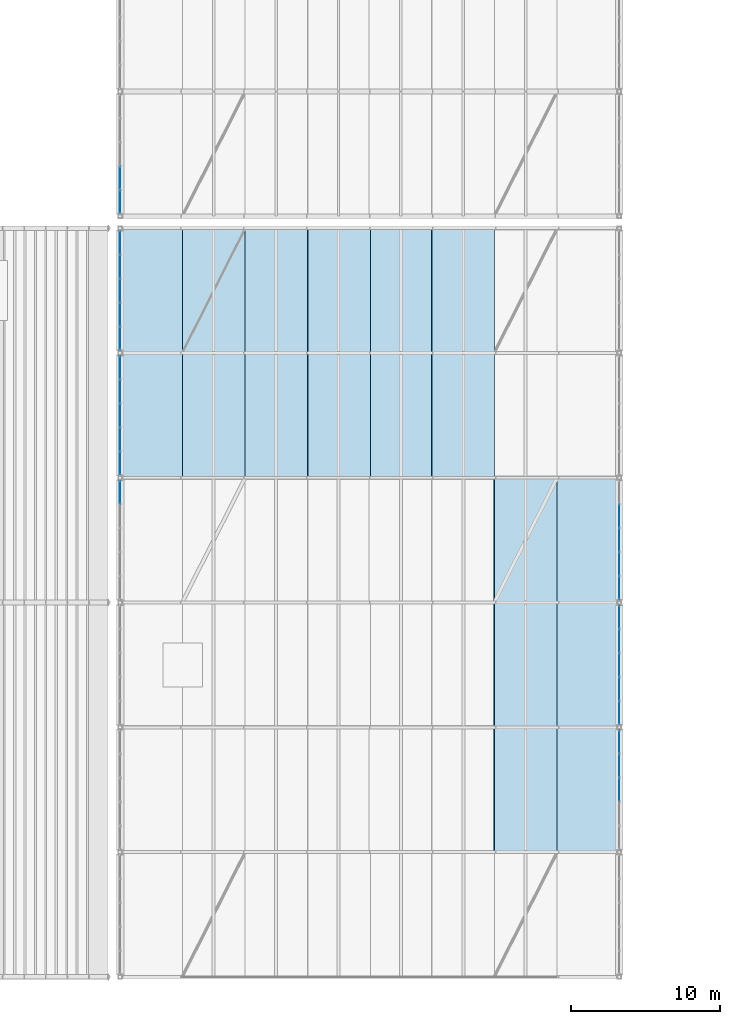
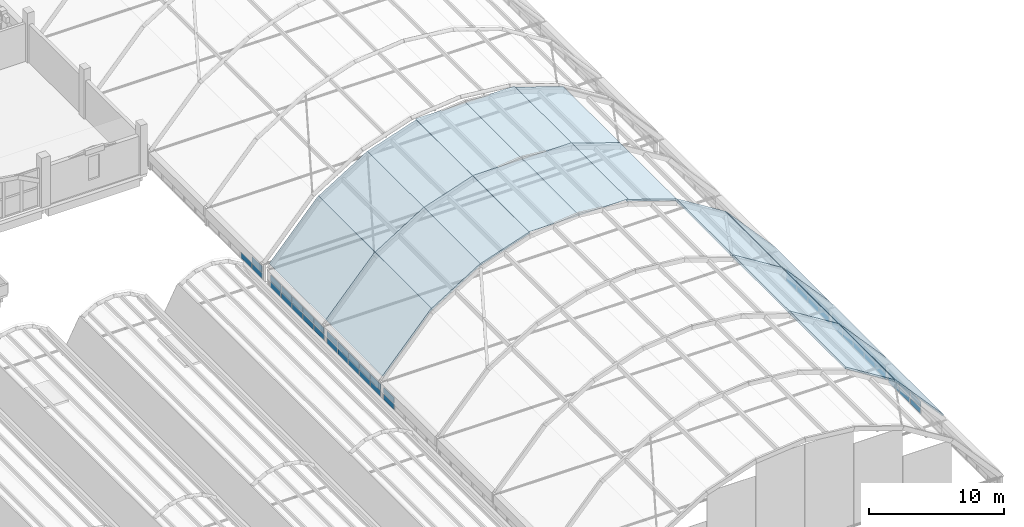
# One storey, part 89 of 114: 53 plates, 14 slabs, 7 elements without a shape of their own.
"""IFC4 building model written with IfcOpenShell, lengths in metres."""

import ifcopenshell
import ifcopenshell.guid

model = None  # the IFC model being written
_history = None  # IfcOwnerHistory: only IFC2X3 demands one
_inside = {}  # id of a spatial element -> (the spatial element, [elements in it])
_under = {}  # id of a project, library or spatial element -> (it, [spatial elements below it])
_declared = {}  # id of a project -> (the project, [libraries it declares])
_typed = {}  # id of a type object -> (the type object, [elements of that type])
_made_of = {}  # id of a material, layer set ... -> (it, [elements and type objects made of it])


def new_model(schema):
    """Start an empty IFC model of exactly this schema.

    Asked for "IFC4X3", IfcOpenShell would pick the latest addendum, in which some entities
    have other attributes; the version numbers below select the first issue.
    IFC2X3 requires an IfcOwnerHistory on every rooted entity: one is made here for all.
    """
    global model, _history
    if schema == "IFC4X3":
        model = ifcopenshell.file(schema_version=(4, 3, 0, 0))
    else:
        model = ifcopenshell.file(schema=schema)
    _inside.clear()
    _under.clear()
    _declared.clear()
    _typed.clear()
    _made_of.clear()
    _history = None
    if model.schema == "IFC2X3":
        org = make("IfcOrganization", Name="unknown")
        user = make(
            "IfcPersonAndOrganization",
            ThePerson=make("IfcPerson", FamilyName="unknown"),
            TheOrganization=org,
        )
        app = make(
            "IfcApplication",
            ApplicationDeveloper=org,
            Version="unknown",
            ApplicationFullName="unknown",
            ApplicationIdentifier="unknown",
        )
        _history = make(
            "IfcOwnerHistory",
            OwningUser=user,
            OwningApplication=app,
            ChangeAction="ADDED",
            CreationDate=0,
        )
    return model


def make(cls, **values):
    """One entity of the class cls with the attributes given. An attribute that is None is left unset."""
    return model.create_entity(
        cls, **{name: value for name, value in values.items() if value is not None}
    )


def rooted(cls, **values):
    """An entity with a GlobalId (a new one), such as an element, a storey or a relation."""
    return make(cls, GlobalId=ifcopenshell.guid.new(), OwnerHistory=_history, **values)


def si_unit(unit_type, name, prefix=None):
    """IfcSIUnit, for example si_unit("LENGTHUNIT", "METRE", prefix="MILLI")."""
    return make("IfcSIUnit", UnitType=unit_type, Prefix=prefix, Name=name)


def assignment(units):
    """IfcUnitAssignment: the units of a project."""
    return None if units is None else make("IfcUnitAssignment", Units=units)


def point(xyz):
    """IfcCartesianPoint."""
    return None if xyz is None else make("IfcCartesianPoint", Coordinates=xyz)


def direction(xyz):
    """IfcDirection."""
    return None if xyz is None else make("IfcDirection", DirectionRatios=xyz)


def frame(location, z_axis=None, x_axis=None):
    """IfcAxis2Placement3D, a coordinate frame: its origin and axes. An axis left out is left unset."""
    return make(
        "IfcAxis2Placement3D",
        Location=point(location),
        Axis=direction(z_axis),
        RefDirection=direction(x_axis),
    )


def frame_2d(location, x_axis=None):
    """IfcAxis2Placement2D, a coordinate frame in the plane: its origin and x axis."""
    return make(
        "IfcAxis2Placement2D", Location=point(location), RefDirection=direction(x_axis)
    )


def origin():
    """The frame at (0, 0, 0) with its axes left unset."""
    return frame((0.0, 0.0, 0.0))


def origin_2d():
    """The frame at (0, 0) in the plane with its x axis left unset."""
    return frame_2d((0.0, 0.0))


def place(relative_to, where):
    """IfcLocalPlacement: puts the frame where relative to a parent placement (None: the world)."""
    return make(
        "IfcLocalPlacement", PlacementRelTo=relative_to, RelativePlacement=where
    )


def context(
    kind, dimensions, precision=None, world=None, true_north=None, identifier=None
):
    """IfcGeometricRepresentationContext, for example the 3D "Model" context."""
    return make(
        "IfcGeometricRepresentationContext",
        ContextIdentifier=identifier,
        ContextType=kind,
        CoordinateSpaceDimension=dimensions,
        Precision=precision,
        WorldCoordinateSystem=world,
        TrueNorth=true_north,
    )


def subcontext(parent, identifier, kind, view, scale=None):
    """IfcGeometricRepresentationSubContext, for example "Body" below "Model"."""
    return make(
        "IfcGeometricRepresentationSubContext",
        ContextIdentifier=identifier,
        ContextType=kind,
        ParentContext=parent,
        TargetScale=scale,
        TargetView=view,
    )


def project(units=None, contexts=None):
    """IfcProject with its units and contexts."""
    return rooted(
        "IfcProject",
        Name="project",
        RepresentationContexts=contexts,
        UnitsInContext=assignment(units),
    )


def spatial(cls, under=None, at=None, **own):
    """A site, building, storey or space (cls), placed at a placement, below another one or the project."""
    s = rooted(cls, ObjectPlacement=at, **own)
    if under is not None:
        _under.setdefault(under.id(), (under, []))[1].append(s)
    return s


def polyline(points):
    """IfcPolyline through the points."""
    return make("IfcPolyline", Points=[point(p) for p in points])


def profile(cls, at=None, kind="AREA", **sizes):
    """A parametric profile (cls). Its sizes go by their IFC names, for example OverallWidth=200.0."""
    return make(cls, ProfileType=kind, Position=at, **sizes)


def rectangle(**sizes):
    """IfcRectangleProfileDef."""
    return profile("IfcRectangleProfileDef", **sizes)


def outline(outer, holes=None, kind="AREA"):
    """IfcArbitraryClosedProfileDef: a profile drawn as a closed curve; with holes, ...WithVoids."""
    if holes is None:
        return make("IfcArbitraryClosedProfileDef", ProfileType=kind, OuterCurve=outer)
    return make(
        "IfcArbitraryProfileDefWithVoids",
        ProfileType=kind,
        OuterCurve=outer,
        InnerCurves=holes,
    )


def extrude(swept, where, along, depth):
    """IfcExtrudedAreaSolid: the profile swept, set in the frame where, extruded along a direction by depth."""
    return make(
        "IfcExtrudedAreaSolid",
        SweptArea=swept,
        Position=where,
        ExtrudedDirection=direction(along),
        Depth=depth,
    )


def shape(context_of_items, identifier, shape_type, items):
    """IfcShapeRepresentation: the items that make up one representation, for example the "Body"."""
    return make(
        "IfcShapeRepresentation",
        ContextOfItems=context_of_items,
        RepresentationIdentifier=identifier,
        RepresentationType=shape_type,
        Items=items,
    )


def material(Name=None, Category=None):
    """IfcMaterial."""
    return make("IfcMaterial", Name=Name, Category=Category)


def layer(
    of_material, thickness, ventilated=None, Name=None, Category=None, Priority=None
):
    """IfcMaterialLayer: one layer of a wall or slab, of a material (None: an air gap)."""
    return make(
        "IfcMaterialLayer",
        Material=of_material,
        LayerThickness=thickness,
        IsVentilated=ventilated,
        Name=Name,
        Category=Category,
        Priority=Priority,
    )


def layer_set(layers, Name=None):
    """IfcMaterialLayerSet."""
    return make("IfcMaterialLayerSet", MaterialLayers=layers, LayerSetName=Name)


def made_of(thing, what):
    """Note that an element or type object is made of a material, layer set ...; save() writes the relation."""
    if what is not None:
        _made_of.setdefault(what.id(), (what, []))[1].append(thing)
    return thing


def type_object(cls, material=None, **own):
    """A type object (cls), such as IfcWallType, which elements share."""
    return made_of(rooted(cls, **own), material)


def element(
    cls,
    number,
    at=None,
    inside=None,
    cuts=None,
    type_object=None,
    material=None,
    context=None,
    identifier="Body",
    shape_type=None,
    held_by="IfcProductDefinitionShape",
    body=None,
    shapes=None,
    **own,
):
    """One element of the class cls, such as IfcWall. Its Tag is "e" and its number.

    at: its placement. inside: the storey or other place that contains it. cuts: it is an
    opening in that element (IfcRelVoidsElement). A single representation is given by context,
    identifier, shape_type and body (its items); several are given by shapes. held_by: the class
    of the entity that holds the representations. save() writes the other relations.
    """
    e = rooted(cls, Tag="e%d" % number, ObjectPlacement=at, **own)
    if body is not None:
        shapes = [shape(context, identifier, shape_type, body)]
    if shapes is not None:
        e.Representation = make(held_by, Representations=shapes)
    if inside is not None:
        _inside.setdefault(inside.id(), (inside, []))[1].append(e)
    if cuts is not None:
        rooted(
            "IfcRelVoidsElement", RelatingBuildingElement=cuts, RelatedOpeningElement=e
        )
    if type_object is not None:
        _typed.setdefault(type_object.id(), (type_object, []))[1].append(e)
    return made_of(e, material)


def aggregate(whole, parts):
    """IfcRelAggregates: a whole, such as a stair, and the parts it consists of."""
    return rooted("IfcRelAggregates", RelatingObject=whole, RelatedObjects=parts)


def save(model, path):
    """Write the relations noted so far, then the file.

    IfcRelAggregates (storeys below a building ...), IfcRelContainedInSpatialStructure (elements
    in a storey), IfcRelDefinesByType, IfcRelAssociatesMaterial and IfcRelDeclares: one each for
    every whole, place, type object, material and project.
    """
    for whole, parts in _under.values():
        aggregate(whole, parts)
    for where, things in _inside.values():
        rooted(
            "IfcRelContainedInSpatialStructure",
            RelatedElements=things,
            RelatingStructure=where,
        )
    for kind, things in _typed.values():
        rooted("IfcRelDefinesByType", RelatedObjects=things, RelatingType=kind)
    for what, things in _made_of.values():
        rooted("IfcRelAssociatesMaterial", RelatedObjects=things, RelatingMaterial=what)
    for by, libraries in _declared.values():
        rooted("IfcRelDeclares", RelatingContext=by, RelatedDefinitions=libraries)
    model.write(path)


model = new_model("IFC4")

# Units and contexts
model_context = context("Model", 3, precision=1e-05, world=origin(), true_north=direction((0.0, 1.0)))
body_context = subcontext(model_context, "Body", "Model", "MODEL_VIEW")
ifc_project = project(units=[si_unit("LENGTHUNIT", "METRE"), si_unit("AREAUNIT", "SQUARE_METRE"), si_unit("VOLUMEUNIT", "CUBIC_METRE"), si_unit("PLANEANGLEUNIT", "RADIAN"), si_unit("MASSUNIT", "GRAM", prefix="KILO")], contexts=[model_context])

# Site, building, storey
site_placement = place(None, origin())
site = spatial("IfcSite", under=ifc_project, at=site_placement, CompositionType="ELEMENT")
building_placement = place(site_placement, origin())
building = spatial("IfcBuilding", under=site, at=building_placement, Name="Xazarin Passage Department Store", CompositionType="ELEMENT")
storey_placement = place(building_placement, frame((0.0, 0.0, 14.39990234375)))
storey = spatial("IfcBuildingStorey", under=building, at=storey_placement, Name="L03", CompositionType="ELEMENT", Elevation=14.39990234375)

# Curtain wall, plates
ifc_material_1 = material(Name="Bronze anodised aluminium", Category="aluminium")
ifc_layer_1 = layer(ifc_material_1, 0.159912109375)
ifc_layer_set_1 = layer_set([ifc_layer_1], Name="Bronze anodised aluminium")
curtain_wall_type = type_object("IfcCurtainWallType", Name="ARC-CW-ARC1", PredefinedType="NOTDEFINED", material=ifc_layer_set_1)
curtain_wall_1_placement = place(storey_placement, origin())
curtain_wall_1 = element("IfcCurtainWall", 1, at=curtain_wall_1_placement, inside=storey, type_object=curtain_wall_type, Name="L03 V2S Galleria Clerestory Curtain Wall 2E", PredefinedType="NOTDEFINED")
ifc_material_2 = material(Name="Low-E laminated safety glass", Category="glass")
ifc_layer_2 = layer(ifc_material_2, 0.028076171875)
ifc_layer_set_2 = layer_set([ifc_layer_2], Name="Low-E laminated safety glass")
plate_type_1 = type_object("IfcPlateType", Name="ARC-CWP-GLZ28", PredefinedType="CURTAIN_PANEL", material=ifc_layer_set_2)
plate_1_placement = place(storey_placement, frame((101.60009765625, 12.60009765625, 0.065185546875), z_axis=(0.0, 0.0, 1.0), x_axis=(0.0, 1.0, 0.0)))
plate_1 = element("IfcPlate", 2, at=plate_1_placement, type_object=plate_type_1, Name="CW3 panel 3.1", PredefinedType="CURTAIN_PANEL", context=body_context, shape_type="SweptSolid", body=[
    extrude(rectangle(XDim=1.551025390625, YDim=0.028076171875, at=origin_2d()), origin(), (0.0, 0.0, 1.0), 0.5283203125),
])
plate_2_placement = place(storey_placement, frame((101.60009765625, 12.60009765625, 0.658447265625), z_axis=(0.0, 0.0, 1.0), x_axis=(0.0, 1.0, 0.0)))
plate_2 = element("IfcPlate", 3, at=plate_2_placement, type_object=plate_type_1, Name="CW3 panel 3.2", PredefinedType="CURTAIN_PANEL", context=body_context, shape_type="SweptSolid", body=[
    extrude(rectangle(XDim=1.551025390625, YDim=0.028076171875, at=origin_2d()), origin(), (0.0, 0.0, 1.0), 0.5283203125),
])
plate_3_placement = place(storey_placement, frame((101.60009765625, 14.216064453125, 0.065185546875), z_axis=(0.0, 0.0, 1.0), x_axis=(0.0, 1.0, 0.0)))
plate_3 = element("IfcPlate", 4, at=plate_3_placement, type_object=plate_type_1, Name="CW3 panel 4.1", PredefinedType="CURTAIN_PANEL", context=body_context, shape_type="SweptSolid", body=[
    extrude(rectangle(XDim=1.551025390625, YDim=0.028076171875, at=origin_2d()), origin(), (0.0, 0.0, 1.0), 0.5283203125),
])
plate_4_placement = place(storey_placement, frame((101.60009765625, 14.216064453125, 0.658447265625), z_axis=(0.0, 0.0, 1.0), x_axis=(0.0, 1.0, 0.0)))
plate_4 = element("IfcPlate", 5, at=plate_4_placement, type_object=plate_type_1, Name="CW3 panel 4.2", PredefinedType="CURTAIN_PANEL", context=body_context, shape_type="SweptSolid", body=[
    extrude(rectangle(XDim=1.551025390625, YDim=0.028076171875, at=origin_2d()), origin(), (0.0, 0.0, 1.0), 0.5283203125),
])
plate_5_placement = place(storey_placement, frame((101.60009765625, 15.815673828125, 0.065185546875), z_axis=(0.0, 0.0, 1.0), x_axis=(0.0, 1.0, 0.0)))
plate_5 = element("IfcPlate", 6, at=plate_5_placement, type_object=plate_type_1, Name="CW3 panel 5.1", PredefinedType="CURTAIN_PANEL", context=body_context, shape_type="SweptSolid", body=[
    extrude(rectangle(XDim=1.5185546875, YDim=0.028076171875, at=origin_2d()), origin(), (0.0, 0.0, 1.0), 0.5283203125),
])
plate_6_placement = place(storey_placement, frame((101.60009765625, 15.815673828125, 0.658447265625), z_axis=(0.0, 0.0, 1.0), x_axis=(0.0, 1.0, 0.0)))
plate_6 = element("IfcPlate", 7, at=plate_6_placement, type_object=plate_type_1, Name="CW3 panel 5.2", PredefinedType="CURTAIN_PANEL", context=body_context, shape_type="SweptSolid", body=[
    extrude(rectangle(XDim=1.5185546875, YDim=0.028076171875, at=origin_2d()), origin(), (0.0, 0.0, 1.0), 0.5283203125),
])
aggregate(curtain_wall_1, [plate_1, plate_2, plate_3, plate_4, plate_5, plate_6])

curtain_wall_2_placement = place(storey_placement, origin())
curtain_wall_2 = element("IfcCurtainWall", 8, at=curtain_wall_2_placement, inside=storey, type_object=curtain_wall_type, Name="L03 V2S Galleria Clerestory Curtain Wall 3E", PredefinedType="NOTDEFINED")
plate_7_placement = place(storey_placement, frame((101.60009765625, 17.7841796875, 0.065185546875), z_axis=(0.0, 0.0, 1.0), x_axis=(0.0, 1.0, 0.0)))
plate_7 = element("IfcPlate", 9, at=plate_7_placement, type_object=plate_type_1, Name="CW3 panel 1.1", PredefinedType="CURTAIN_PANEL", context=body_context, shape_type="SweptSolid", body=[
    extrude(rectangle(XDim=1.5185546875, YDim=0.028076171875, at=origin_2d()), origin(), (0.0, 0.0, 1.0), 0.5283203125),
])
plate_8_placement = place(storey_placement, frame((101.60009765625, 17.7841796875, 0.658447265625), z_axis=(0.0, 0.0, 1.0), x_axis=(0.0, 1.0, 0.0)))
plate_8 = element("IfcPlate", 10, at=plate_8_placement, type_object=plate_type_1, Name="CW3 panel 1.2", PredefinedType="CURTAIN_PANEL", context=body_context, shape_type="SweptSolid", body=[
    extrude(rectangle(XDim=1.5185546875, YDim=0.028076171875, at=origin_2d()), origin(), (0.0, 0.0, 1.0), 0.5283203125),
])
plate_9_placement = place(storey_placement, frame((101.60009765625, 19.384033203125, 0.065185546875), z_axis=(0.0, 0.0, 1.0), x_axis=(0.0, 1.0, 0.0)))
plate_9 = element("IfcPlate", 11, at=plate_9_placement, type_object=plate_type_1, Name="CW3 panel 2.1", PredefinedType="CURTAIN_PANEL", context=body_context, shape_type="SweptSolid", body=[
    extrude(rectangle(XDim=1.551025390625, YDim=0.028076171875, at=origin_2d()), origin(), (0.0, 0.0, 1.0), 0.5283203125),
])
plate_10_placement = place(storey_placement, frame((101.60009765625, 19.384033203125, 0.658447265625), z_axis=(0.0, 0.0, 1.0), x_axis=(0.0, 1.0, 0.0)))
plate_10 = element("IfcPlate", 12, at=plate_10_placement, type_object=plate_type_1, Name="CW3 panel 2.2", PredefinedType="CURTAIN_PANEL", context=body_context, shape_type="SweptSolid", body=[
    extrude(rectangle(XDim=1.551025390625, YDim=0.028076171875, at=origin_2d()), origin(), (0.0, 0.0, 1.0), 0.5283203125),
])
plate_11_placement = place(storey_placement, frame((101.60009765625, 21.0, 0.065185546875), z_axis=(0.0, 0.0, 1.0), x_axis=(0.0, 1.0, 0.0)))
plate_11 = element("IfcPlate", 13, at=plate_11_placement, type_object=plate_type_1, Name="CW3 panel 3.1", PredefinedType="CURTAIN_PANEL", context=body_context, shape_type="SweptSolid", body=[
    extrude(rectangle(XDim=1.551025390625, YDim=0.028076171875, at=origin_2d()), origin(), (0.0, 0.0, 1.0), 0.5283203125),
])
plate_12_placement = place(storey_placement, frame((101.60009765625, 21.0, 0.658447265625), z_axis=(0.0, 0.0, 1.0), x_axis=(0.0, 1.0, 0.0)))
plate_12 = element("IfcPlate", 14, at=plate_12_placement, type_object=plate_type_1, Name="CW3 panel 3.2", PredefinedType="CURTAIN_PANEL", context=body_context, shape_type="SweptSolid", body=[
    extrude(rectangle(XDim=1.551025390625, YDim=0.028076171875, at=origin_2d()), origin(), (0.0, 0.0, 1.0), 0.5283203125),
])
plate_13_placement = place(storey_placement, frame((101.60009765625, 22.615966796875, 0.065185546875), z_axis=(0.0, 0.0, 1.0), x_axis=(0.0, 1.0, 0.0)))
plate_13 = element("IfcPlate", 15, at=plate_13_placement, type_object=plate_type_1, Name="CW3 panel 4.1", PredefinedType="CURTAIN_PANEL", context=body_context, shape_type="SweptSolid", body=[
    extrude(rectangle(XDim=1.551025390625, YDim=0.028076171875, at=origin_2d()), origin(), (0.0, 0.0, 1.0), 0.5283203125),
])
plate_14_placement = place(storey_placement, frame((101.60009765625, 22.615966796875, 0.658447265625), z_axis=(0.0, 0.0, 1.0), x_axis=(0.0, 1.0, 0.0)))
plate_14 = element("IfcPlate", 16, at=plate_14_placement, type_object=plate_type_1, Name="CW3 panel 4.2", PredefinedType="CURTAIN_PANEL", context=body_context, shape_type="SweptSolid", body=[
    extrude(rectangle(XDim=1.551025390625, YDim=0.028076171875, at=origin_2d()), origin(), (0.0, 0.0, 1.0), 0.5283203125),
])
plate_15_placement = place(storey_placement, frame((101.60009765625, 24.2158203125, 0.065185546875), z_axis=(0.0, 0.0, 1.0), x_axis=(0.0, 1.0, 0.0)))
plate_15 = element("IfcPlate", 17, at=plate_15_placement, type_object=plate_type_1, Name="CW3 panel 5.1", PredefinedType="CURTAIN_PANEL", context=body_context, shape_type="SweptSolid", body=[
    extrude(rectangle(XDim=1.5185546875, YDim=0.028076171875, at=origin_2d()), origin(), (0.0, 0.0, 1.0), 0.5283203125),
])
plate_16_placement = place(storey_placement, frame((101.60009765625, 24.2158203125, 0.658447265625), z_axis=(0.0, 0.0, 1.0), x_axis=(0.0, 1.0, 0.0)))
plate_16 = element("IfcPlate", 18, at=plate_16_placement, type_object=plate_type_1, Name="CW3 panel 5.2", PredefinedType="CURTAIN_PANEL", context=body_context, shape_type="SweptSolid", body=[
    extrude(rectangle(XDim=1.5185546875, YDim=0.028076171875, at=origin_2d()), origin(), (0.0, 0.0, 1.0), 0.5283203125),
])
aggregate(curtain_wall_2, [plate_7, plate_8, plate_9, plate_10, plate_11, plate_12, plate_13, plate_14, plate_15, plate_16])

curtain_wall_3_placement = place(storey_placement, origin())
curtain_wall_3 = element("IfcCurtainWall", 19, at=curtain_wall_3_placement, inside=storey, type_object=curtain_wall_type, Name="L03 V2S Galleria Clerestory Curtain Wall 4W", PredefinedType="NOTDEFINED")
plate_17_placement = place(storey_placement, frame((68.0, 32.61572265625, 0.065185546875), z_axis=(0.0, 0.0, 1.0), x_axis=(0.0, 1.0, 0.0)))
plate_17 = element("IfcPlate", 20, at=plate_17_placement, type_object=plate_type_1, Name="CW3 panel 5.1", PredefinedType="CURTAIN_PANEL", context=body_context, shape_type="SweptSolid", body=[
    extrude(rectangle(XDim=1.5185546875, YDim=0.028076171875, at=origin_2d()), origin(), (0.0, 0.0, 1.0), 0.5283203125),
])
plate_18_placement = place(storey_placement, frame((68.0, 32.61572265625, 0.658447265625), z_axis=(0.0, 0.0, 1.0), x_axis=(0.0, 1.0, 0.0)))
plate_18 = element("IfcPlate", 21, at=plate_18_placement, type_object=plate_type_1, Name="CW3 panel 5.2", PredefinedType="CURTAIN_PANEL", context=body_context, shape_type="SweptSolid", body=[
    extrude(rectangle(XDim=1.5185546875, YDim=0.028076171875, at=origin_2d()), origin(), (0.0, 0.0, 1.0), 0.5283203125),
])
aggregate(curtain_wall_3, [plate_17, plate_18])

curtain_wall_4_placement = place(storey_placement, origin())
curtain_wall_4 = element("IfcCurtainWall", 22, at=curtain_wall_4_placement, inside=storey, type_object=curtain_wall_type, Name="L03 V2S Galleria Clerestory Curtain Wall 4E", PredefinedType="NOTDEFINED")
plate_19_placement = place(storey_placement, frame((101.60009765625, 26.184326171875, 0.065185546875), z_axis=(0.0, 0.0, 1.0), x_axis=(0.0, 1.0, 0.0)))
plate_19 = element("IfcPlate", 23, at=plate_19_placement, type_object=plate_type_1, Name="CW3 panel 1.1", PredefinedType="CURTAIN_PANEL", context=body_context, shape_type="SweptSolid", body=[
    extrude(rectangle(XDim=1.5185546875, YDim=0.028076171875, at=origin_2d()), origin(), (0.0, 0.0, 1.0), 0.5283203125),
])
plate_20_placement = place(storey_placement, frame((101.60009765625, 26.184326171875, 0.658447265625), z_axis=(0.0, 0.0, 1.0), x_axis=(0.0, 1.0, 0.0)))
plate_20 = element("IfcPlate", 24, at=plate_20_placement, type_object=plate_type_1, Name="CW3 panel 1.2", PredefinedType="CURTAIN_PANEL", context=body_context, shape_type="SweptSolid", body=[
    extrude(rectangle(XDim=1.5185546875, YDim=0.028076171875, at=origin_2d()), origin(), (0.0, 0.0, 1.0), 0.5283203125),
])
plate_21_placement = place(storey_placement, frame((101.60009765625, 27.783935546875, 0.065185546875), z_axis=(0.0, 0.0, 1.0), x_axis=(0.0, 1.0, 0.0)))
plate_21 = element("IfcPlate", 25, at=plate_21_placement, type_object=plate_type_1, Name="CW3 panel 2.1", PredefinedType="CURTAIN_PANEL", context=body_context, shape_type="SweptSolid", body=[
    extrude(rectangle(XDim=1.551025390625, YDim=0.028076171875, at=origin_2d()), origin(), (0.0, 0.0, 1.0), 0.5283203125),
])
plate_22_placement = place(storey_placement, frame((101.60009765625, 27.783935546875, 0.658447265625), z_axis=(0.0, 0.0, 1.0), x_axis=(0.0, 1.0, 0.0)))
plate_22 = element("IfcPlate", 26, at=plate_22_placement, type_object=plate_type_1, Name="CW3 panel 2.2", PredefinedType="CURTAIN_PANEL", context=body_context, shape_type="SweptSolid", body=[
    extrude(rectangle(XDim=1.551025390625, YDim=0.028076171875, at=origin_2d()), origin(), (0.0, 0.0, 1.0), 0.5283203125),
])
plate_23_placement = place(storey_placement, frame((101.60009765625, 29.39990234375, 0.065185546875), z_axis=(0.0, 0.0, 1.0), x_axis=(0.0, 1.0, 0.0)))
plate_23 = element("IfcPlate", 27, at=plate_23_placement, type_object=plate_type_1, Name="CW3 panel 3.1", PredefinedType="CURTAIN_PANEL", context=body_context, shape_type="SweptSolid", body=[
    extrude(rectangle(XDim=1.551025390625, YDim=0.028076171875, at=origin_2d()), origin(), (0.0, 0.0, 1.0), 0.5283203125),
])
plate_24_placement = place(storey_placement, frame((101.60009765625, 29.39990234375, 0.658447265625), z_axis=(0.0, 0.0, 1.0), x_axis=(0.0, 1.0, 0.0)))
plate_24 = element("IfcPlate", 28, at=plate_24_placement, type_object=plate_type_1, Name="CW3 panel 3.2", PredefinedType="CURTAIN_PANEL", context=body_context, shape_type="SweptSolid", body=[
    extrude(rectangle(XDim=1.551025390625, YDim=0.028076171875, at=origin_2d()), origin(), (0.0, 0.0, 1.0), 0.5283203125),
])
plate_25_placement = place(storey_placement, frame((101.60009765625, 31.01611328125, 0.065185546875), z_axis=(0.0, 0.0, 1.0), x_axis=(0.0, 1.0, 0.0)))
plate_25 = element("IfcPlate", 29, at=plate_25_placement, type_object=plate_type_1, Name="CW3 panel 4.1", PredefinedType="CURTAIN_PANEL", context=body_context, shape_type="SweptSolid", body=[
    extrude(rectangle(XDim=1.551025390625, YDim=0.028076171875, at=origin_2d()), origin(), (0.0, 0.0, 1.0), 0.5283203125),
])
plate_26_placement = place(storey_placement, frame((101.60009765625, 31.01611328125, 0.658447265625), z_axis=(0.0, 0.0, 1.0), x_axis=(0.0, 1.0, 0.0)))
plate_26 = element("IfcPlate", 30, at=plate_26_placement, type_object=plate_type_1, Name="CW3 panel 4.2", PredefinedType="CURTAIN_PANEL", context=body_context, shape_type="SweptSolid", body=[
    extrude(rectangle(XDim=1.551025390625, YDim=0.028076171875, at=origin_2d()), origin(), (0.0, 0.0, 1.0), 0.5283203125),
])
aggregate(curtain_wall_4, [plate_19, plate_20, plate_21, plate_22, plate_23, plate_24, plate_25, plate_26])

curtain_wall_5_placement = place(storey_placement, origin())
curtain_wall_5 = element("IfcCurtainWall", 31, at=curtain_wall_5_placement, inside=storey, type_object=curtain_wall_type, Name="L03 V2S Galleria Clerestory Curtain Wall 5W", PredefinedType="NOTDEFINED")
plate_27_placement = place(storey_placement, frame((68.0, 34.584228515625, 0.065185546875), z_axis=(0.0, 0.0, 1.0), x_axis=(0.0, 1.0, 0.0)))
plate_27 = element("IfcPlate", 32, at=plate_27_placement, type_object=plate_type_1, Name="CW3 panel 1.1", PredefinedType="CURTAIN_PANEL", context=body_context, shape_type="SweptSolid", body=[
    extrude(rectangle(XDim=1.5185546875, YDim=0.028076171875, at=origin_2d()), origin(), (0.0, 0.0, 1.0), 0.5283203125),
])
plate_28_placement = place(storey_placement, frame((68.0, 34.584228515625, 0.658447265625), z_axis=(0.0, 0.0, 1.0), x_axis=(0.0, 1.0, 0.0)))
plate_28 = element("IfcPlate", 33, at=plate_28_placement, type_object=plate_type_1, Name="CW3 panel 1.2", PredefinedType="CURTAIN_PANEL", context=body_context, shape_type="SweptSolid", body=[
    extrude(rectangle(XDim=1.5185546875, YDim=0.028076171875, at=origin_2d()), origin(), (0.0, 0.0, 1.0), 0.5283203125),
])
plate_29_placement = place(storey_placement, frame((68.0, 36.18408203125, 0.065185546875), z_axis=(0.0, 0.0, 1.0), x_axis=(0.0, 1.0, 0.0)))
plate_29 = element("IfcPlate", 34, at=plate_29_placement, type_object=plate_type_1, Name="CW3 panel 2.1", PredefinedType="CURTAIN_PANEL", context=body_context, shape_type="SweptSolid", body=[
    extrude(rectangle(XDim=1.551025390625, YDim=0.028076171875, at=origin_2d()), origin(), (0.0, 0.0, 1.0), 0.5283203125),
])
plate_30_placement = place(storey_placement, frame((68.0, 36.18408203125, 0.658447265625), z_axis=(0.0, 0.0, 1.0), x_axis=(0.0, 1.0, 0.0)))
plate_30 = element("IfcPlate", 35, at=plate_30_placement, type_object=plate_type_1, Name="CW3 panel 2.2", PredefinedType="CURTAIN_PANEL", context=body_context, shape_type="SweptSolid", body=[
    extrude(rectangle(XDim=1.551025390625, YDim=0.028076171875, at=origin_2d()), origin(), (0.0, 0.0, 1.0), 0.5283203125),
])
plate_31_placement = place(storey_placement, frame((68.0, 37.800048828125, 0.065185546875), z_axis=(0.0, 0.0, 1.0), x_axis=(0.0, 1.0, 0.0)))
plate_31 = element("IfcPlate", 36, at=plate_31_placement, type_object=plate_type_1, Name="CW3 panel 3.1", PredefinedType="CURTAIN_PANEL", context=body_context, shape_type="SweptSolid", body=[
    extrude(rectangle(XDim=1.551025390625, YDim=0.028076171875, at=origin_2d()), origin(), (0.0, 0.0, 1.0), 0.5283203125),
])
plate_32_placement = place(storey_placement, frame((68.0, 37.800048828125, 0.658447265625), z_axis=(0.0, 0.0, 1.0), x_axis=(0.0, 1.0, 0.0)))
plate_32 = element("IfcPlate", 37, at=plate_32_placement, type_object=plate_type_1, Name="CW3 panel 3.2", PredefinedType="CURTAIN_PANEL", context=body_context, shape_type="SweptSolid", body=[
    extrude(rectangle(XDim=1.551025390625, YDim=0.028076171875, at=origin_2d()), origin(), (0.0, 0.0, 1.0), 0.5283203125),
])
plate_33_placement = place(storey_placement, frame((68.0, 39.416015625, 0.065185546875), z_axis=(0.0, 0.0, 1.0), x_axis=(0.0, 1.0, 0.0)))
plate_33 = element("IfcPlate", 38, at=plate_33_placement, type_object=plate_type_1, Name="CW3 panel 4.1", PredefinedType="CURTAIN_PANEL", context=body_context, shape_type="SweptSolid", body=[
    extrude(rectangle(XDim=1.551025390625, YDim=0.028076171875, at=origin_2d()), origin(), (0.0, 0.0, 1.0), 0.5283203125),
])
plate_34_placement = place(storey_placement, frame((68.0, 39.416015625, 0.658447265625), z_axis=(0.0, 0.0, 1.0), x_axis=(0.0, 1.0, 0.0)))
plate_34 = element("IfcPlate", 39, at=plate_34_placement, type_object=plate_type_1, Name="CW3 panel 4.2", PredefinedType="CURTAIN_PANEL", context=body_context, shape_type="SweptSolid", body=[
    extrude(rectangle(XDim=1.551025390625, YDim=0.028076171875, at=origin_2d()), origin(), (0.0, 0.0, 1.0), 0.5283203125),
])
plate_35_placement = place(storey_placement, frame((68.0, 41.015869140625, 0.065185546875), z_axis=(0.0, 0.0, 1.0), x_axis=(0.0, 1.0, 0.0)))
plate_35 = element("IfcPlate", 40, at=plate_35_placement, type_object=plate_type_1, Name="CW3 panel 5.1", PredefinedType="CURTAIN_PANEL", context=body_context, shape_type="SweptSolid", body=[
    extrude(rectangle(XDim=1.5185546875, YDim=0.028076171875, at=origin_2d()), origin(), (0.0, 0.0, 1.0), 0.5283203125),
])
plate_36_placement = place(storey_placement, frame((68.0, 41.015869140625, 0.658447265625), z_axis=(0.0, 0.0, 1.0), x_axis=(0.0, 1.0, 0.0)))
plate_36 = element("IfcPlate", 41, at=plate_36_placement, type_object=plate_type_1, Name="CW3 panel 5.2", PredefinedType="CURTAIN_PANEL", context=body_context, shape_type="SweptSolid", body=[
    extrude(rectangle(XDim=1.5185546875, YDim=0.028076171875, at=origin_2d()), origin(), (0.0, 0.0, 1.0), 0.5283203125),
])
aggregate(curtain_wall_5, [plate_27, plate_28, plate_29, plate_30, plate_31, plate_32, plate_33, plate_34, plate_35, plate_36])

curtain_wall_6_placement = place(storey_placement, origin())
curtain_wall_6 = element("IfcCurtainWall", 42, at=curtain_wall_6_placement, inside=storey, type_object=curtain_wall_type, Name="L03 V2S Galleria Clerestory Curtain Wall 6W", PredefinedType="NOTDEFINED")
plate_37_placement = place(storey_placement, frame((68.0, 42.984130859375, 0.065185546875), z_axis=(0.0, 0.0, 1.0), x_axis=(0.0, 1.0, 0.0)))
plate_37 = element("IfcPlate", 43, at=plate_37_placement, type_object=plate_type_1, Name="CW3 panel 1.1", PredefinedType="CURTAIN_PANEL", context=body_context, shape_type="SweptSolid", body=[
    extrude(rectangle(XDim=1.5185546875, YDim=0.028076171875, at=origin_2d()), origin(), (0.0, 0.0, 1.0), 0.5283203125),
])
plate_38_placement = place(storey_placement, frame((68.0, 42.984130859375, 0.658447265625), z_axis=(0.0, 0.0, 1.0), x_axis=(0.0, 1.0, 0.0)))
plate_38 = element("IfcPlate", 44, at=plate_38_placement, type_object=plate_type_1, Name="CW3 panel 1.2", PredefinedType="CURTAIN_PANEL", context=body_context, shape_type="SweptSolid", body=[
    extrude(rectangle(XDim=1.5185546875, YDim=0.028076171875, at=origin_2d()), origin(), (0.0, 0.0, 1.0), 0.5283203125),
])
plate_39_placement = place(storey_placement, frame((68.0, 44.583984375, 0.065185546875), z_axis=(0.0, 0.0, 1.0), x_axis=(0.0, 1.0, 0.0)))
plate_39 = element("IfcPlate", 45, at=plate_39_placement, type_object=plate_type_1, Name="CW3 panel 2.1", PredefinedType="CURTAIN_PANEL", context=body_context, shape_type="SweptSolid", body=[
    extrude(rectangle(XDim=1.551025390625, YDim=0.028076171875, at=origin_2d()), origin(), (0.0, 0.0, 1.0), 0.5283203125),
])
plate_40_placement = place(storey_placement, frame((68.0, 44.583984375, 0.658447265625), z_axis=(0.0, 0.0, 1.0), x_axis=(0.0, 1.0, 0.0)))
plate_40 = element("IfcPlate", 46, at=plate_40_placement, type_object=plate_type_1, Name="CW3 panel 2.2", PredefinedType="CURTAIN_PANEL", context=body_context, shape_type="SweptSolid", body=[
    extrude(rectangle(XDim=1.551025390625, YDim=0.028076171875, at=origin_2d()), origin(), (0.0, 0.0, 1.0), 0.5283203125),
])
plate_41_placement = place(storey_placement, frame((68.0, 46.199951171875, 0.065185546875), z_axis=(0.0, 0.0, 1.0), x_axis=(0.0, 1.0, 0.0)))
plate_41 = element("IfcPlate", 47, at=plate_41_placement, type_object=plate_type_1, Name="CW3 panel 3.1", PredefinedType="CURTAIN_PANEL", context=body_context, shape_type="SweptSolid", body=[
    extrude(rectangle(XDim=1.551025390625, YDim=0.028076171875, at=origin_2d()), origin(), (0.0, 0.0, 1.0), 0.5283203125),
])
plate_42_placement = place(storey_placement, frame((68.0, 46.199951171875, 0.658447265625), z_axis=(0.0, 0.0, 1.0), x_axis=(0.0, 1.0, 0.0)))
plate_42 = element("IfcPlate", 48, at=plate_42_placement, type_object=plate_type_1, Name="CW3 panel 3.2", PredefinedType="CURTAIN_PANEL", context=body_context, shape_type="SweptSolid", body=[
    extrude(rectangle(XDim=1.551025390625, YDim=0.028076171875, at=origin_2d()), origin(), (0.0, 0.0, 1.0), 0.5283203125),
])
plate_43_placement = place(storey_placement, frame((68.0, 47.81591796875, 0.065185546875), z_axis=(0.0, 0.0, 1.0), x_axis=(0.0, 1.0, 0.0)))
plate_43 = element("IfcPlate", 49, at=plate_43_placement, type_object=plate_type_1, Name="CW3 panel 4.1", PredefinedType="CURTAIN_PANEL", context=body_context, shape_type="SweptSolid", body=[
    extrude(rectangle(XDim=1.551025390625, YDim=0.028076171875, at=origin_2d()), origin(), (0.0, 0.0, 1.0), 0.5283203125),
])
plate_44_placement = place(storey_placement, frame((68.0, 47.81591796875, 0.658447265625), z_axis=(0.0, 0.0, 1.0), x_axis=(0.0, 1.0, 0.0)))
plate_44 = element("IfcPlate", 50, at=plate_44_placement, type_object=plate_type_1, Name="CW3 panel 4.2", PredefinedType="CURTAIN_PANEL", context=body_context, shape_type="SweptSolid", body=[
    extrude(rectangle(XDim=1.551025390625, YDim=0.028076171875, at=origin_2d()), origin(), (0.0, 0.0, 1.0), 0.5283203125),
])
plate_45_placement = place(storey_placement, frame((68.0, 49.415771484375, 0.065185546875), z_axis=(0.0, 0.0, 1.0), x_axis=(0.0, 1.0, 0.0)))
plate_45 = element("IfcPlate", 51, at=plate_45_placement, type_object=plate_type_1, Name="CW3 panel 5.1", PredefinedType="CURTAIN_PANEL", context=body_context, shape_type="SweptSolid", body=[
    extrude(rectangle(XDim=1.5185546875, YDim=0.028076171875, at=origin_2d()), origin(), (0.0, 0.0, 1.0), 0.5283203125),
])
plate_46_placement = place(storey_placement, frame((68.0, 49.415771484375, 0.658447265625), z_axis=(0.0, 0.0, 1.0), x_axis=(0.0, 1.0, 0.0)))
plate_46 = element("IfcPlate", 52, at=plate_46_placement, type_object=plate_type_1, Name="CW3 panel 5.2", PredefinedType="CURTAIN_PANEL", context=body_context, shape_type="SweptSolid", body=[
    extrude(rectangle(XDim=1.5185546875, YDim=0.028076171875, at=origin_2d()), origin(), (0.0, 0.0, 1.0), 0.5283203125),
])
aggregate(curtain_wall_6, [plate_37, plate_38, plate_39, plate_40, plate_41, plate_42, plate_43, plate_44, plate_45, plate_46])

curtain_wall_7_placement = place(storey_placement, origin())
curtain_wall_7 = element("IfcCurtainWall", 53, at=curtain_wall_7_placement, inside=storey, type_object=curtain_wall_type, Name="L03 V2N Galleria Clerestory Curtain Wall 1W", PredefinedType="NOTDEFINED")
plate_47_placement = place(storey_placement, frame((68.0, 52.184326171875, 0.065185546875), z_axis=(0.0, 0.0, 1.0), x_axis=(0.0, 1.0, 0.0)))
plate_47 = element("IfcPlate", 54, at=plate_47_placement, type_object=plate_type_1, Name="CW3 panel 1.1", PredefinedType="CURTAIN_PANEL", context=body_context, shape_type="SweptSolid", body=[
    extrude(rectangle(XDim=1.5185546875, YDim=0.028076171875, at=origin_2d()), origin(), (0.0, 0.0, 1.0), 0.5283203125),
])
plate_48_placement = place(storey_placement, frame((68.0, 52.184326171875, 0.658447265625), z_axis=(0.0, 0.0, 1.0), x_axis=(0.0, 1.0, 0.0)))
plate_48 = element("IfcPlate", 55, at=plate_48_placement, type_object=plate_type_1, Name="CW3 panel 1.2", PredefinedType="CURTAIN_PANEL", context=body_context, shape_type="SweptSolid", body=[
    extrude(rectangle(XDim=1.5185546875, YDim=0.028076171875, at=origin_2d()), origin(), (0.0, 0.0, 1.0), 0.5283203125),
])
plate_49_placement = place(storey_placement, frame((68.0, 53.783935546875, 0.065185546875), z_axis=(0.0, 0.0, 1.0), x_axis=(0.0, 1.0, 0.0)))
plate_49 = element("IfcPlate", 56, at=plate_49_placement, type_object=plate_type_1, Name="CW3 panel 2.1", PredefinedType="CURTAIN_PANEL", context=body_context, shape_type="SweptSolid", body=[
    extrude(rectangle(XDim=1.551025390625, YDim=0.028076171875, at=origin_2d()), origin(), (0.0, 0.0, 1.0), 0.5283203125),
])
aggregate(curtain_wall_7, [plate_47, plate_48, plate_49])

# Plates
ifc_layer_3 = layer(ifc_material_2, 0.028076171875)
ifc_layer_set_3 = layer_set([ifc_layer_3], Name="Low-E laminated safety glass")
plate_type_2 = type_object("IfcPlateType", Name="ARC-PLT-VGLZ28", PredefinedType="SHEET", material=ifc_layer_set_3)
for number, where, z_axis, x_axis, name in (
    (57, (82.699951171875, 37.800048828125, 10.7509765625), (0.0, 0.0, 1.0), (1.0, 0.0, 0.0), "V2S Crown Skylight Glazing Panel 5.4"),
    (58, (86.89990234375, 37.800048828125, 10.7509765625), (0.0, 0.0, 1.0), (1.0, 0.0, 0.0), "V2S Crown Skylight Glazing Panel 5.5"),
    (59, (82.699951171875, 46.199951171875, 10.7509765625), (0.0, 0.0, 1.0), (1.0, 0.0, 0.0), "V2S Crown Skylight Glazing Panel 6.4"),
    (60, (86.89990234375, 46.199951171875, 10.7509765625), (0.0, 0.0, 1.0), (1.0, 0.0, 0.0), "V2S Crown Skylight Glazing Panel 6.5"),
):
    element("IfcPlate", number, at=place(storey_placement, frame(where, z_axis=z_axis, x_axis=x_axis)), inside=storey, type_object=plate_type_2, Name=name, PredefinedType="SHEET", context=body_context, shape_type="SweptSolid", body=[
        extrude(rectangle(XDim=4.280029296875, YDim=8.47998046875, at=origin_2d()), origin(), (0.0, 0.0, 1.0), 0.028076171875),
    ])

# Slabs
ifc_material_3 = material(Name="Concrete C40/50", Category="concrete")
ifc_layer_4 = layer(ifc_material_3, 0.239990234375)
ifc_layer_set_4 = layer_set([ifc_layer_4], Name="Concrete C40/50")
slab_type = type_object("IfcSlabType", Name="STR-SLB-SHL240", PredefinedType="ROOF", material=ifc_layer_set_4)
slab_1_placement = place(storey_placement, frame((93.199951171875, 8.39990234375, 9.34130859375), z_axis=(0.529080815848, 0.0, 0.848571440894), x_axis=(0.848571440894, 0.0, -0.529080815848)))
element("IfcSlab", 61, at=slab_1_placement, inside=storey, type_object=slab_type, Name="V2S Vaulted Roof Deck Facet 2.7", PredefinedType="ROOF", context=body_context, shape_type="SweptSolid", body=[
    extrude(outline(polyline([(0.0, 0.0), (4.949437336057661, 0.0), (4.949437336057661, 8.400146484375), (0.0, 8.400146484375), (0.0, 0.0)])), origin(), (0.0, 0.0, -1.0), 0.159912109375),
])
slab_2_placement = place(storey_placement, frame((97.39990234375, 8.39990234375, 6.7626953125), z_axis=(0.744239314694, 0.0, 0.667913050078), x_axis=(0.667913050078, 0.0, -0.744239314694)))
element("IfcSlab", 62, at=slab_2_placement, inside=storey, type_object=slab_type, Name="V2S Vaulted Roof Deck Facet 2.8", PredefinedType="ROOF", context=body_context, shape_type="SweptSolid", body=[
    extrude(outline(polyline([(0.0, 0.0), (6.288536078177975, 0.0), (6.288536078177975, 8.400146484375), (0.0, 8.400146484375), (0.0, 0.0)])), origin(), (0.0, 0.0, -1.0), 0.159912109375),
])
slab_3_placement = place(storey_placement, frame((93.199951171875, 16.800048828125, 9.34130859375), z_axis=(0.529080815848, 0.0, 0.848571440894), x_axis=(0.848571440894, 0.0, -0.529080815848)))
element("IfcSlab", 63, at=slab_3_placement, inside=storey, type_object=slab_type, Name="V2S Vaulted Roof Deck Facet 3.7", PredefinedType="ROOF", context=body_context, shape_type="SweptSolid", body=[
    extrude(outline(polyline([(0.0, 0.0), (4.949437336057661, 0.0), (4.949437336057661, 8.39990234375), (0.0, 8.39990234375), (0.0, 0.0)])), origin(), (0.0, 0.0, -1.0), 0.159912109375),
])
slab_4_placement = place(storey_placement, frame((97.39990234375, 16.800048828125, 6.7626953125), z_axis=(0.744239314694, 0.0, 0.667913050078), x_axis=(0.667913050078, 0.0, -0.744239314694)))
element("IfcSlab", 64, at=slab_4_placement, inside=storey, type_object=slab_type, Name="V2S Vaulted Roof Deck Facet 3.8", PredefinedType="ROOF", context=body_context, shape_type="SweptSolid", body=[
    extrude(outline(polyline([(0.0, 0.0), (6.288536078177975, 0.0), (6.288536078177975, 8.39990234375), (0.0, 8.39990234375), (0.0, 0.0)])), origin(), (0.0, 0.0, -1.0), 0.159912109375),
])
slab_5_placement = place(storey_placement, frame((93.199951171875, 25.199951171875, 9.34130859375), z_axis=(0.529080815848, 0.0, 0.848571440894), x_axis=(0.848571440894, 0.0, -0.529080815848)))
element("IfcSlab", 65, at=slab_5_placement, inside=storey, type_object=slab_type, Name="V2S Vaulted Roof Deck Facet 4.7", PredefinedType="ROOF", context=body_context, shape_type="SweptSolid", body=[
    extrude(outline(polyline([(0.0, 0.0), (4.949437336057661, 0.0), (4.949437336057661, 8.400146484375), (0.0, 8.400146484375), (0.0, 0.0)])), origin(), (0.0, 0.0, -1.0), 0.159912109375),
])
slab_6_placement = place(storey_placement, frame((97.39990234375, 25.199951171875, 6.7626953125), z_axis=(0.744239314694, 0.0, 0.667913050078), x_axis=(0.667913050078, 0.0, -0.744239314694)))
element("IfcSlab", 66, at=slab_6_placement, inside=storey, type_object=slab_type, Name="V2S Vaulted Roof Deck Facet 4.8", PredefinedType="ROOF", context=body_context, shape_type="SweptSolid", body=[
    extrude(outline(polyline([(0.0, 0.0), (6.288536078177975, 0.0), (6.288536078177975, 8.400146484375), (0.0, 8.400146484375), (0.0, 0.0)])), origin(), (0.0, 0.0, -1.0), 0.159912109375),
])
slab_7_placement = place(storey_placement, frame((68.0, 33.60009765625, 2.08251953125), z_axis=(-0.74425861336, 0.0, 0.667891545417), x_axis=(0.667891545417, 0.0, 0.74425861336)))
element("IfcSlab", 67, at=slab_7_placement, inside=storey, type_object=slab_type, Name="V2S Vaulted Roof Deck Facet 5.1", PredefinedType="ROOF", context=body_context, shape_type="SweptSolid", body=[
    extrude(outline(polyline([(0.0, 0.0), (6.28837301609353, 0.0), (6.28837301609353, 8.39990234375), (0.0, 8.39990234375), (0.0, 0.0)])), origin(), (0.0, 0.0, -1.0), 0.159912109375),
])
slab_8_placement = place(storey_placement, frame((72.199951171875, 33.60009765625, 6.72265625), z_axis=(-0.529080815848, 0.0, 0.848571440894), x_axis=(0.848571440894, 0.0, 0.529080815848)))
element("IfcSlab", 68, at=slab_8_placement, inside=storey, type_object=slab_type, Name="V2S Vaulted Roof Deck Facet 5.2", PredefinedType="ROOF", context=body_context, shape_type="SweptSolid", body=[
    extrude(outline(polyline([(0.0, 0.0), (4.949437336057661, 0.0), (4.949437336057661, 8.39990234375), (0.0, 8.39990234375), (0.0, 0.0)])), origin(), (0.0, 0.0, -1.0), 0.159912109375),
])
slab_9_placement = place(storey_placement, frame((76.39990234375, 33.60009765625, 9.3212890625), z_axis=(-0.316938846257, 0.0, 0.948445975126), x_axis=(0.948445975126, 0.0, 0.316938846257)))
element("IfcSlab", 69, at=slab_9_placement, inside=storey, type_object=slab_type, Name="V2S Vaulted Roof Deck Facet 5.3", PredefinedType="ROOF", context=body_context, shape_type="SweptSolid", body=[
    extrude(outline(polyline([(0.0, 0.0), (4.4285024373057595, 0.0), (4.4285024373057595, 8.39990234375), (0.0, 8.39990234375), (0.0, 0.0)])), origin(), (0.0, 0.0, -1.0), 0.159912109375),
])
slab_10_placement = place(storey_placement, frame((89.0, 33.60009765625, 10.724853515625), z_axis=(0.316955418934, 0.0, 0.948440436932), x_axis=(0.948440436932, 0.0, -0.316955418934)))
element("IfcSlab", 70, at=slab_10_placement, inside=storey, type_object=slab_type, Name="V2S Vaulted Roof Deck Facet 5.6", PredefinedType="ROOF", context=body_context, shape_type="SweptSolid", body=[
    extrude(outline(polyline([(0.0, 0.0), (4.428270883788645, 0.0), (4.428270883788645, 8.39990234375), (0.0, 8.39990234375), (0.0, 0.0)])), origin(), (0.0, 0.0, -1.0), 0.159912109375),
])
slab_11_placement = place(storey_placement, frame((68.0, 42.0, 2.08251953125), z_axis=(-0.74425861336, 0.0, 0.667891545417), x_axis=(0.667891545417, 0.0, 0.74425861336)))
element("IfcSlab", 71, at=slab_11_placement, inside=storey, type_object=slab_type, Name="V2S Vaulted Roof Deck Facet 6.1", PredefinedType="ROOF", context=body_context, shape_type="SweptSolid", body=[
    extrude(outline(polyline([(0.0, 0.0), (6.28837301609353, 0.0), (6.28837301609353, 8.39990234375), (0.0, 8.39990234375), (0.0, 0.0)])), origin(), (0.0, 0.0, -1.0), 0.159912109375),
])
slab_12_placement = place(storey_placement, frame((72.199951171875, 42.0, 6.72265625), z_axis=(-0.529080815848, 0.0, 0.848571440894), x_axis=(0.848571440894, 0.0, 0.529080815848)))
element("IfcSlab", 72, at=slab_12_placement, inside=storey, type_object=slab_type, Name="V2S Vaulted Roof Deck Facet 6.2", PredefinedType="ROOF", context=body_context, shape_type="SweptSolid", body=[
    extrude(outline(polyline([(0.0, 0.0), (4.949437336057661, 0.0), (4.949437336057661, 8.39990234375), (0.0, 8.39990234375), (0.0, 0.0)])), origin(), (0.0, 0.0, -1.0), 0.159912109375),
])
slab_13_placement = place(storey_placement, frame((76.39990234375, 42.0, 9.3212890625), z_axis=(-0.316938846257, 0.0, 0.948445975126), x_axis=(0.948445975126, 0.0, 0.316938846257)))
element("IfcSlab", 73, at=slab_13_placement, inside=storey, type_object=slab_type, Name="V2S Vaulted Roof Deck Facet 6.3", PredefinedType="ROOF", context=body_context, shape_type="SweptSolid", body=[
    extrude(outline(polyline([(0.0, 0.0), (4.4285024373057595, 0.0), (4.4285024373057595, 8.39990234375), (0.0, 8.39990234375), (0.0, 0.0)])), origin(), (0.0, 0.0, -1.0), 0.159912109375),
])
slab_14_placement = place(storey_placement, frame((89.0, 42.0, 10.724853515625), z_axis=(0.316955418934, 0.0, 0.948440436932), x_axis=(0.948440436932, 0.0, -0.316955418934)))
element("IfcSlab", 74, at=slab_14_placement, inside=storey, type_object=slab_type, Name="V2S Vaulted Roof Deck Facet 6.6", PredefinedType="ROOF", context=body_context, shape_type="SweptSolid", body=[
    extrude(outline(polyline([(0.0, 0.0), (4.428270883788645, 0.0), (4.428270883788645, 8.39990234375), (0.0, 8.39990234375), (0.0, 0.0)])), origin(), (0.0, 0.0, -1.0), 0.159912109375),
])

save(model, "model.ifc")
